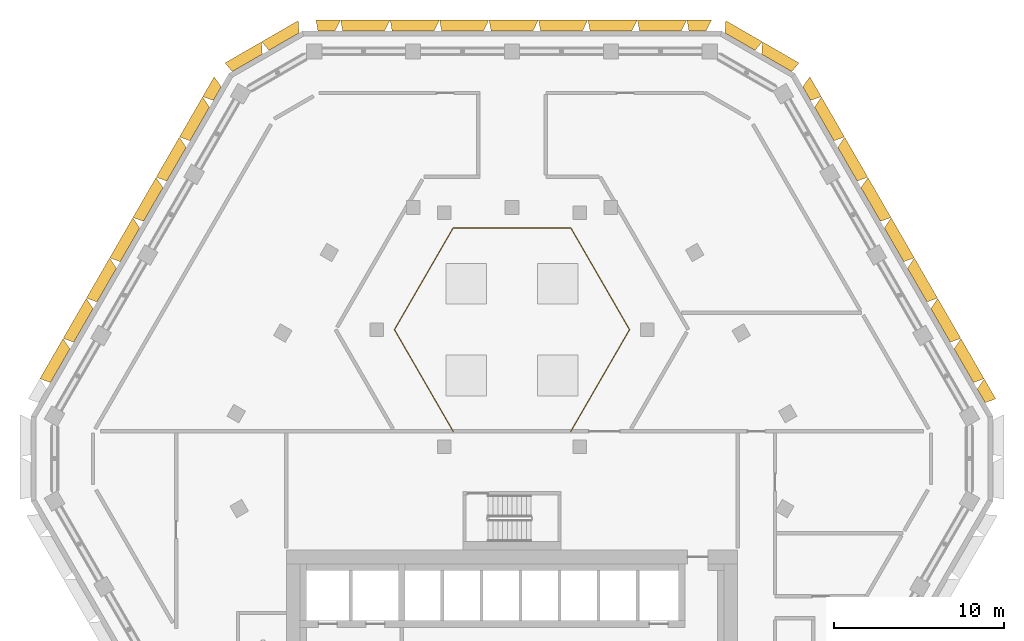
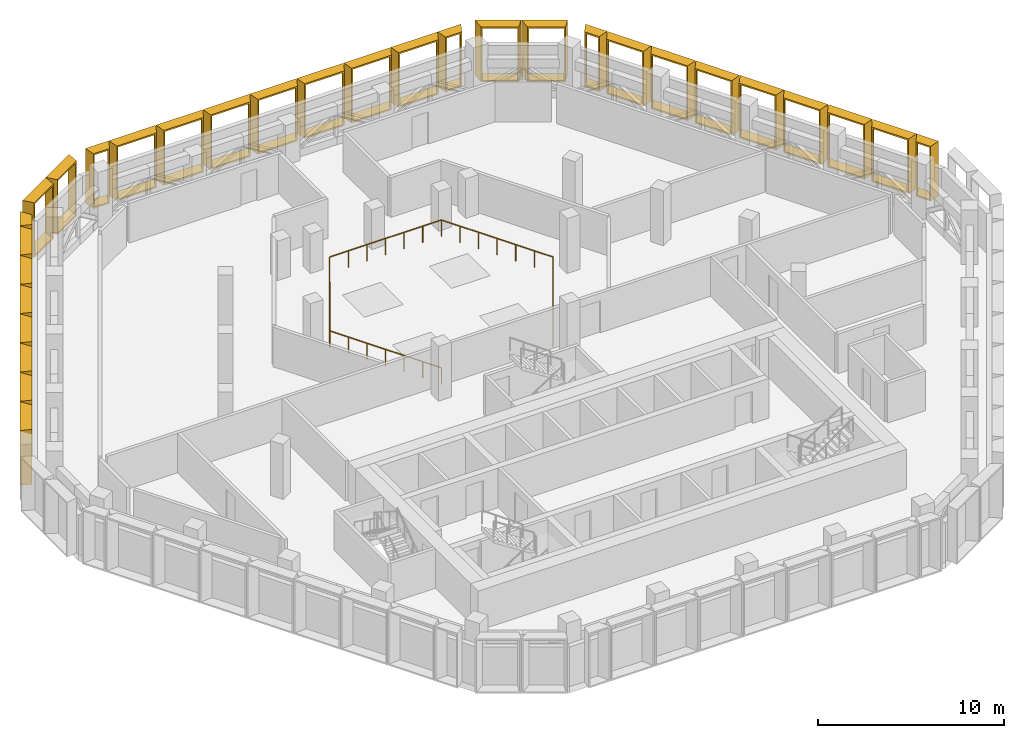
# One storey, part 22 of 22: 30 shading devices, 1 railing.
"""IFC4 building model written with IfcOpenShell, lengths in metres."""

import ifcopenshell
import ifcopenshell.guid

model = None  # the IFC model being written
_history = None  # IfcOwnerHistory: only IFC2X3 demands one
_inside = {}  # id of a spatial element -> (the spatial element, [elements in it])
_under = {}  # id of a project, library or spatial element -> (it, [spatial elements below it])
_declared = {}  # id of a project -> (the project, [libraries it declares])
_typed = {}  # id of a type object -> (the type object, [elements of that type])
_made_of = {}  # id of a material, layer set ... -> (it, [elements and type objects made of it])


def new_model(schema):
    """Start an empty IFC model of exactly this schema.

    Asked for "IFC4X3", IfcOpenShell would pick the latest addendum, in which some entities
    have other attributes; the version numbers below select the first issue.
    IFC2X3 requires an IfcOwnerHistory on every rooted entity: one is made here for all.
    """
    global model, _history
    if schema == "IFC4X3":
        model = ifcopenshell.file(schema_version=(4, 3, 0, 0))
    else:
        model = ifcopenshell.file(schema=schema)
    _inside.clear()
    _under.clear()
    _declared.clear()
    _typed.clear()
    _made_of.clear()
    _history = None
    if model.schema == "IFC2X3":
        org = make("IfcOrganization", Name="unknown")
        user = make(
            "IfcPersonAndOrganization",
            ThePerson=make("IfcPerson", FamilyName="unknown"),
            TheOrganization=org,
        )
        app = make(
            "IfcApplication",
            ApplicationDeveloper=org,
            Version="unknown",
            ApplicationFullName="unknown",
            ApplicationIdentifier="unknown",
        )
        _history = make(
            "IfcOwnerHistory",
            OwningUser=user,
            OwningApplication=app,
            ChangeAction="ADDED",
            CreationDate=0,
        )
    return model


def make(cls, **values):
    """One entity of the class cls with the attributes given. An attribute that is None is left unset."""
    return model.create_entity(
        cls, **{name: value for name, value in values.items() if value is not None}
    )


def entity(cls, *values):
    """Any entity or typed value of the class cls, its attributes in the order of the schema. None: left unset."""
    e = model.create_entity(cls)
    for i, value in enumerate(values):
        if value is not None:
            e[i] = value
    return e


def rooted(cls, **values):
    """An entity with a GlobalId (a new one), such as an element, a storey or a relation."""
    return make(cls, GlobalId=ifcopenshell.guid.new(), OwnerHistory=_history, **values)


def si_unit(unit_type, name, prefix=None):
    """IfcSIUnit, for example si_unit("LENGTHUNIT", "METRE", prefix="MILLI")."""
    return make("IfcSIUnit", UnitType=unit_type, Prefix=prefix, Name=name)


def assignment(units):
    """IfcUnitAssignment: the units of a project."""
    return None if units is None else make("IfcUnitAssignment", Units=units)


def point(xyz):
    """IfcCartesianPoint."""
    return None if xyz is None else make("IfcCartesianPoint", Coordinates=xyz)


def direction(xyz):
    """IfcDirection."""
    return None if xyz is None else make("IfcDirection", DirectionRatios=xyz)


def frame(location, z_axis=None, x_axis=None):
    """IfcAxis2Placement3D, a coordinate frame: its origin and axes. An axis left out is left unset."""
    return make(
        "IfcAxis2Placement3D",
        Location=point(location),
        Axis=direction(z_axis),
        RefDirection=direction(x_axis),
    )


def frame_2d(location, x_axis=None):
    """IfcAxis2Placement2D, a coordinate frame in the plane: its origin and x axis."""
    return make(
        "IfcAxis2Placement2D", Location=point(location), RefDirection=direction(x_axis)
    )


def origin():
    """The frame at (0, 0, 0) with its axes left unset."""
    return frame((0.0, 0.0, 0.0))


def origin_2d():
    """The frame at (0, 0) in the plane with its x axis left unset."""
    return frame_2d((0.0, 0.0))


def place(relative_to, where):
    """IfcLocalPlacement: puts the frame where relative to a parent placement (None: the world)."""
    return make(
        "IfcLocalPlacement", PlacementRelTo=relative_to, RelativePlacement=where
    )


def context(
    kind, dimensions, precision=None, world=None, true_north=None, identifier=None
):
    """IfcGeometricRepresentationContext, for example the 3D "Model" context."""
    return make(
        "IfcGeometricRepresentationContext",
        ContextIdentifier=identifier,
        ContextType=kind,
        CoordinateSpaceDimension=dimensions,
        Precision=precision,
        WorldCoordinateSystem=world,
        TrueNorth=true_north,
    )


def subcontext(parent, identifier, kind, view, scale=None):
    """IfcGeometricRepresentationSubContext, for example "Body" below "Model"."""
    return make(
        "IfcGeometricRepresentationSubContext",
        ContextIdentifier=identifier,
        ContextType=kind,
        ParentContext=parent,
        TargetScale=scale,
        TargetView=view,
    )


def project(units=None, contexts=None):
    """IfcProject with its units and contexts."""
    return rooted(
        "IfcProject",
        Name="project",
        RepresentationContexts=contexts,
        UnitsInContext=assignment(units),
    )


def spatial(cls, under=None, at=None, **own):
    """A site, building, storey or space (cls), placed at a placement, below another one or the project."""
    s = rooted(cls, ObjectPlacement=at, **own)
    if under is not None:
        _under.setdefault(under.id(), (under, []))[1].append(s)
    return s


def profile(cls, at=None, kind="AREA", **sizes):
    """A parametric profile (cls). Its sizes go by their IFC names, for example OverallWidth=200.0."""
    return make(cls, ProfileType=kind, Position=at, **sizes)


def rectangle(**sizes):
    """IfcRectangleProfileDef."""
    return profile("IfcRectangleProfileDef", **sizes)


def extrude(swept, where, along, depth):
    """IfcExtrudedAreaSolid: the profile swept, set in the frame where, extruded along a direction by depth."""
    return make(
        "IfcExtrudedAreaSolid",
        SweptArea=swept,
        Position=where,
        ExtrudedDirection=direction(along),
        Depth=depth,
    )


def shape(context_of_items, identifier, shape_type, items):
    """IfcShapeRepresentation: the items that make up one representation, for example the "Body"."""
    return make(
        "IfcShapeRepresentation",
        ContextOfItems=context_of_items,
        RepresentationIdentifier=identifier,
        RepresentationType=shape_type,
        Items=items,
    )


def source(mapping_origin, context_of_items, identifier, shape_type, items):
    """IfcRepresentationMap: a shape defined once, which mapped items show again and again."""
    return make(
        "IfcRepresentationMap",
        MappingOrigin=mapping_origin,
        MappedRepresentation=shape(context_of_items, identifier, shape_type, items),
    )


def transform(
    local_origin,
    x_axis=None,
    y_axis=None,
    z_axis=None,
    scale=None,
    scale2=None,
    scale3=None,
    uniform=True,
):
    """IfcCartesianTransformationOperator3D, or its non-uniform kind. x_axis, y_axis, z_axis: its Axis1, 2, 3."""
    if uniform:
        return make(
            "IfcCartesianTransformationOperator3D",
            Axis1=direction(x_axis),
            Axis2=direction(y_axis),
            LocalOrigin=point(local_origin),
            Scale=scale,
            Axis3=direction(z_axis),
        )
    return make(
        "IfcCartesianTransformationOperator3DnonUniform",
        Axis1=direction(x_axis),
        Axis2=direction(y_axis),
        LocalOrigin=point(local_origin),
        Scale=scale,
        Axis3=direction(z_axis),
        Scale2=scale2,
        Scale3=scale3,
    )


def mapped(mapping_source, mapping_target):
    """IfcMappedItem: shows the shape of a source again, moved by a transform."""
    return make(
        "IfcMappedItem", MappingSource=mapping_source, MappingTarget=mapping_target
    )


def material(Name=None, Category=None):
    """IfcMaterial."""
    return make("IfcMaterial", Name=Name, Category=Category)


def made_of(thing, what):
    """Note that an element or type object is made of a material, layer set ...; save() writes the relation."""
    if what is not None:
        _made_of.setdefault(what.id(), (what, []))[1].append(thing)
    return thing


def type_object(cls, material=None, **own):
    """A type object (cls), such as IfcWallType, which elements share."""
    return made_of(rooted(cls, **own), material)


def type_shapes(of_type, sources):
    """Give a type object the sources (RepresentationMaps) that its elements show as mapped items."""
    of_type.RepresentationMaps = sources


def element(
    cls,
    number,
    at=None,
    inside=None,
    cuts=None,
    type_object=None,
    material=None,
    context=None,
    identifier="Body",
    shape_type=None,
    held_by="IfcProductDefinitionShape",
    body=None,
    shapes=None,
    **own,
):
    """One element of the class cls, such as IfcWall. Its Tag is "e" and its number.

    at: its placement. inside: the storey or other place that contains it. cuts: it is an
    opening in that element (IfcRelVoidsElement). A single representation is given by context,
    identifier, shape_type and body (its items); several are given by shapes. held_by: the class
    of the entity that holds the representations. save() writes the other relations.
    """
    e = rooted(cls, Tag="e%d" % number, ObjectPlacement=at, **own)
    if body is not None:
        shapes = [shape(context, identifier, shape_type, body)]
    if shapes is not None:
        e.Representation = make(held_by, Representations=shapes)
    if inside is not None:
        _inside.setdefault(inside.id(), (inside, []))[1].append(e)
    if cuts is not None:
        rooted(
            "IfcRelVoidsElement", RelatingBuildingElement=cuts, RelatedOpeningElement=e
        )
    if type_object is not None:
        _typed.setdefault(type_object.id(), (type_object, []))[1].append(e)
    return made_of(e, material)


def aggregate(whole, parts):
    """IfcRelAggregates: a whole, such as a stair, and the parts it consists of."""
    return rooted("IfcRelAggregates", RelatingObject=whole, RelatedObjects=parts)


def save(model, path):
    """Write the relations noted so far, then the file.

    IfcRelAggregates (storeys below a building ...), IfcRelContainedInSpatialStructure (elements
    in a storey), IfcRelDefinesByType, IfcRelAssociatesMaterial and IfcRelDeclares: one each for
    every whole, place, type object, material and project.
    """
    for whole, parts in _under.values():
        aggregate(whole, parts)
    for where, things in _inside.values():
        rooted(
            "IfcRelContainedInSpatialStructure",
            RelatedElements=things,
            RelatingStructure=where,
        )
    for kind, things in _typed.values():
        rooted("IfcRelDefinesByType", RelatedObjects=things, RelatingType=kind)
    for what, things in _made_of.values():
        rooted("IfcRelAssociatesMaterial", RelatedObjects=things, RelatingMaterial=what)
    for by, libraries in _declared.values():
        rooted("IfcRelDeclares", RelatingContext=by, RelatedDefinitions=libraries)
    model.write(path)


model = new_model("IFC4")

# Units and contexts
model_context = context("Model", 3, precision=1e-05, world=origin(), true_north=direction((0.0, 1.0)))
body_context = subcontext(model_context, "Body", "Model", "MODEL_VIEW")
ifc_project = project(units=[si_unit("LENGTHUNIT", "METRE"), si_unit("AREAUNIT", "SQUARE_METRE"), si_unit("VOLUMEUNIT", "CUBIC_METRE"), si_unit("PLANEANGLEUNIT", "RADIAN"), si_unit("MASSUNIT", "GRAM", prefix="KILO")], contexts=[model_context])

# Site, building, storey
site_placement = place(None, origin())
site = spatial("IfcSite", under=ifc_project, at=site_placement, CompositionType="ELEMENT")
building_placement = place(site_placement, origin())
building = spatial("IfcBuilding", under=site, at=building_placement, Name="Beryl Residences", CompositionType="ELEMENT")
storey_placement = place(building_placement, frame((0.0, 0.0, 153.60009765625)))
storey = spatial("IfcBuildingStorey", under=building, at=storey_placement, Name="L47", CompositionType="ELEMENT", Elevation=153.60009765625)

# Railing
ifc_material_1 = material(Name="Stainless steel balustrade with glass infill", Category="steel")
railing_type = type_object("IfcRailingType", Name="EG1 edge guard 1100 mm", PredefinedType="GUARDRAIL", material=ifc_material_1)
railing_placement = place(storey_placement, frame((3.464111328125, 2.0, 0.0)))
element("IfcRailing", 1, at=railing_placement, inside=storey, type_object=railing_type, Name="L47 guard 1", PredefinedType="GUARDRAIL", context=body_context, shape_type="SweptSolid", body=[
    extrude(rectangle(XDim=0.048095703125, YDim=0.048095703125, at=origin_2d()), frame((0.0, 0.0, 1.076171875), z_axis=(0.49997462182, 0.866040055388, 0.0), x_axis=(-0.866040055388, 0.49997462182, 0.0)), (0.0, 0.0, 1.0), 6.927978515625),
    extrude(rectangle(XDim=0.048095703125, YDim=0.048095703125, at=origin_2d()), frame((3.4638671875, 6.0, 1.076171875), z_axis=(-0.49997462182, 0.866040055388, 0.0), x_axis=(-0.866040055388, -0.49997462182, 0.0)), (0.0, 0.0, 1.0), 6.927978515625),
    extrude(rectangle(XDim=0.048095703125, YDim=0.048095703125, at=origin_2d()), frame((0.0, 12.0, 1.076171875), z_axis=(-1.0, 0.0, 0.0), x_axis=(0.0, -1.0, 0.0)), (0.0, 0.0, 1.0), 6.92822265625),
    extrude(rectangle(XDim=0.048095703125, YDim=0.048095703125, at=origin_2d()), frame((-6.92822265625, 12.0, 1.076171875), z_axis=(-0.49997462182, -0.866040055388, 0.0), x_axis=(0.866040055388, -0.49997462182, 0.0)), (0.0, 0.0, 1.0), 6.927978515625),
    extrude(rectangle(XDim=0.048095703125, YDim=0.048095703125, at=origin_2d()), frame((-10.39208984375, 6.0, 1.076171875), z_axis=(0.49997462182, -0.866040055388, 0.0), x_axis=(0.866040055388, 0.49997462182, 0.0)), (0.0, 0.0, 1.0), 6.927978515625),
    extrude(rectangle(XDim=0.0419921875, YDim=0.0419921875, at=origin_2d()), origin(), (0.0, 0.0, 1.0), 1.052001953125),
    extrude(rectangle(XDim=0.0419921875, YDim=0.0419921875, at=origin_2d()), frame((0.577392578125, 1.0, 0.0)), (0.0, 0.0, 1.0), 1.052001953125),
    extrude(rectangle(XDim=0.0419921875, YDim=0.0419921875, at=origin_2d()), frame((1.154541015625, 2.0, 0.0)), (0.0, 0.0, 1.0), 1.052001953125),
    extrude(rectangle(XDim=0.0419921875, YDim=0.0419921875, at=origin_2d()), frame((1.73193359375, 3.0, 0.0)), (0.0, 0.0, 1.0), 1.052001953125),
    extrude(rectangle(XDim=0.0419921875, YDim=0.0419921875, at=origin_2d()), frame((2.309326171875, 4.0, 0.0)), (0.0, 0.0, 1.0), 1.052001953125),
    extrude(rectangle(XDim=0.0419921875, YDim=0.0419921875, at=origin_2d()), frame((2.886474609375, 5.0, 0.0)), (0.0, 0.0, 1.0), 1.052001953125),
    extrude(rectangle(XDim=0.0419921875, YDim=0.0419921875, at=origin_2d()), frame((3.4638671875, 6.0, 0.0)), (0.0, 0.0, 1.0), 1.052001953125),
    extrude(rectangle(XDim=0.0419921875, YDim=0.0419921875, at=origin_2d()), frame((2.886474609375, 7.0, 0.0)), (0.0, 0.0, 1.0), 1.052001953125),
    extrude(rectangle(XDim=0.0419921875, YDim=0.0419921875, at=origin_2d()), frame((2.309326171875, 8.0, 0.0)), (0.0, 0.0, 1.0), 1.052001953125),
    extrude(rectangle(XDim=0.0419921875, YDim=0.0419921875, at=origin_2d()), frame((1.73193359375, 9.0, 0.0)), (0.0, 0.0, 1.0), 1.052001953125),
    extrude(rectangle(XDim=0.0419921875, YDim=0.0419921875, at=origin_2d()), frame((1.154541015625, 10.0, 0.0)), (0.0, 0.0, 1.0), 1.052001953125),
    extrude(rectangle(XDim=0.0419921875, YDim=0.0419921875, at=origin_2d()), frame((0.577392578125, 11.0, 0.0)), (0.0, 0.0, 1.0), 1.052001953125),
    extrude(rectangle(XDim=0.0419921875, YDim=0.0419921875, at=origin_2d()), frame((0.0, 12.0, 0.0)), (0.0, 0.0, 1.0), 1.052001953125),
    extrude(rectangle(XDim=0.0419921875, YDim=0.0419921875, at=origin_2d()), frame((-1.15478515625, 12.0, 0.0)), (0.0, 0.0, 1.0), 1.052001953125),
    extrude(rectangle(XDim=0.0419921875, YDim=0.0419921875, at=origin_2d()), frame((-2.309326171875, 12.0, 0.0)), (0.0, 0.0, 1.0), 1.052001953125),
    extrude(rectangle(XDim=0.0419921875, YDim=0.0419921875, at=origin_2d()), frame((-3.464111328125, 12.0, 0.0)), (0.0, 0.0, 1.0), 1.052001953125),
    extrude(rectangle(XDim=0.0419921875, YDim=0.0419921875, at=origin_2d()), frame((-4.618896484375, 12.0, 0.0)), (0.0, 0.0, 1.0), 1.052001953125),
    extrude(rectangle(XDim=0.0419921875, YDim=0.0419921875, at=origin_2d()), frame((-5.7734375, 12.0, 0.0)), (0.0, 0.0, 1.0), 1.052001953125),
    extrude(rectangle(XDim=0.0419921875, YDim=0.0419921875, at=origin_2d()), frame((-6.92822265625, 12.0, 0.0)), (0.0, 0.0, 1.0), 1.052001953125),
    extrude(rectangle(XDim=0.0419921875, YDim=0.0419921875, at=origin_2d()), frame((-7.505615234375, 11.0, 0.0)), (0.0, 0.0, 1.0), 1.052001953125),
    extrude(rectangle(XDim=0.0419921875, YDim=0.0419921875, at=origin_2d()), frame((-8.082763671875, 10.0, 0.0)), (0.0, 0.0, 1.0), 1.052001953125),
    extrude(rectangle(XDim=0.0419921875, YDim=0.0419921875, at=origin_2d()), frame((-8.66015625, 9.0, 0.0)), (0.0, 0.0, 1.0), 1.052001953125),
    extrude(rectangle(XDim=0.0419921875, YDim=0.0419921875, at=origin_2d()), frame((-9.237548828125, 8.0, 0.0)), (0.0, 0.0, 1.0), 1.052001953125),
    extrude(rectangle(XDim=0.0419921875, YDim=0.0419921875, at=origin_2d()), frame((-9.814697265625, 7.0, 0.0)), (0.0, 0.0, 1.0), 1.052001953125),
    extrude(rectangle(XDim=0.0419921875, YDim=0.0419921875, at=origin_2d()), frame((-10.39208984375, 6.0, 0.0)), (0.0, 0.0, 1.0), 1.052001953125),
    extrude(rectangle(XDim=0.0419921875, YDim=0.0419921875, at=origin_2d()), frame((-9.814697265625, 5.0, 0.0)), (0.0, 0.0, 1.0), 1.052001953125),
    extrude(rectangle(XDim=0.0419921875, YDim=0.0419921875, at=origin_2d()), frame((-9.237548828125, 4.0, 0.0)), (0.0, 0.0, 1.0), 1.052001953125),
    extrude(rectangle(XDim=0.0419921875, YDim=0.0419921875, at=origin_2d()), frame((-8.66015625, 3.0, 0.0)), (0.0, 0.0, 1.0), 1.052001953125),
    extrude(rectangle(XDim=0.0419921875, YDim=0.0419921875, at=origin_2d()), frame((-8.082763671875, 2.0, 0.0)), (0.0, 0.0, 1.0), 1.052001953125),
    extrude(rectangle(XDim=0.0419921875, YDim=0.0419921875, at=origin_2d()), frame((-7.505615234375, 1.0, 0.0)), (0.0, 0.0, 1.0), 1.052001953125),
    extrude(rectangle(XDim=0.0419921875, YDim=0.0419921875, at=origin_2d()), frame((-6.92822265625, 0.0, 0.0)), (0.0, 0.0, 1.0), 1.052001953125),
])

# Shading devices
ifc_material_2 = material(Name="Aluminium pale anodised", Category="aluminium")
shading_device_type_1 = type_object("IfcShadingDeviceType", Name="FR137-65B-H36 OUTER SKIN frame 650 mm deep, splay 26/10 deg, 1370 x 3600 mm cell", PredefinedType="USERDEFINED", material=ifc_material_2)
cartesian_point_1 = entity("IfcCartesianPoint", [-0.458984375, 0.0])
cartesian_point_2 = entity("IfcCartesianPoint", [-0.369873046875, 0.10009765625])
cartesian_point_3 = entity("IfcCartesianPoint", [-0.776123046875, 0.0])
cartesian_point_4 = entity("IfcCartesianPoint", [-0.68701171875, 0.10009765625])
shared_shape_1 = source(origin(), body_context, "Body", "SweptSolid", [
    entity("IfcExtrudedAreaSolidTapered", entity("IfcArbitraryProfileDefWithVoids", "AREA", None, entity("IfcPolyline", [cartesian_point_1, entity("IfcCartesianPoint", [0.458984375, 0.0]), entity("IfcCartesianPoint", [0.458984375, 3.60009765625]), entity("IfcCartesianPoint", [-0.458984375, 3.60009765625]), cartesian_point_1]), [entity("IfcPolyline", [cartesian_point_2, entity("IfcCartesianPoint", [0.377685546875, 0.10009765625]), entity("IfcCartesianPoint", [0.377685546875, 3.5]), entity("IfcCartesianPoint", [-0.369873046875, 3.5]), cartesian_point_2])]), entity("IfcAxis2Placement3D", entity("IfcCartesianPoint", [0.0, 0.0, 0.0]), entity("IfcDirection", [0.0, 1.0, 0.0]), entity("IfcDirection", [-1.0, 0.0, 0.0])), entity("IfcDirection", [0.0, 0.0, 1.0]), 0.64990234375, entity("IfcArbitraryProfileDefWithVoids", "AREA", None, entity("IfcPolyline", [cartesian_point_3, entity("IfcCartesianPoint", [0.57373046875, 0.0]), entity("IfcCartesianPoint", [0.57373046875, 3.60009765625]), entity("IfcCartesianPoint", [-0.776123046875, 3.60009765625]), cartesian_point_3]), [entity("IfcPolyline", [cartesian_point_4, entity("IfcCartesianPoint", [0.492431640625, 0.10009765625]), entity("IfcCartesianPoint", [0.492431640625, 3.5]), entity("IfcCartesianPoint", [-0.68701171875, 3.5]), cartesian_point_4])])),
])
type_shapes(shading_device_type_1, [shared_shape_1])
shading_device_placement = place(storey_placement, frame((-17.375, 21.906982421875, 0.0), z_axis=(0.0, 0.0, 1.0), x_axis=(0.5, 0.866025403784, 0.0)))
element("IfcShadingDevice", 2, at=shading_device_placement, inside=storey, type_object=shading_device_type_1, Name="FR137-65B-H36 frame L47 NW 1", ObjectType="OUTER SKIN", PredefinedType="USERDEFINED", context=body_context, shape_type="MappedRepresentation", body=[
    mapped(shared_shape_1, transform((0.0, 0.0, 0.0))),
])
ifc_material_3 = material(Name="Aluminium pale anodised", Category="aluminium")
shading_device_type_2 = type_object("IfcShadingDeviceType", Name="FR137-65C-H36 OUTER SKIN frame 650 mm deep, splay 10/26 deg, 1370 x 3600 mm cell", PredefinedType="USERDEFINED", material=ifc_material_3)
cartesian_point_5 = entity("IfcCartesianPoint", [-0.458984375, 0.0])
cartesian_point_6 = entity("IfcCartesianPoint", [-0.377685546875, 0.10009765625])
cartesian_point_7 = entity("IfcCartesianPoint", [-0.57373046875, 0.0])
cartesian_point_8 = entity("IfcCartesianPoint", [-0.492431640625, 0.10009765625])
shared_shape_2 = source(origin(), body_context, "Body", "SweptSolid", [
    entity("IfcExtrudedAreaSolidTapered", entity("IfcArbitraryProfileDefWithVoids", "AREA", None, entity("IfcPolyline", [cartesian_point_5, entity("IfcCartesianPoint", [0.458984375, 0.0]), entity("IfcCartesianPoint", [0.458984375, 3.60009765625]), entity("IfcCartesianPoint", [-0.458984375, 3.60009765625]), cartesian_point_5]), [entity("IfcPolyline", [cartesian_point_6, entity("IfcCartesianPoint", [0.369873046875, 0.10009765625]), entity("IfcCartesianPoint", [0.369873046875, 3.5]), entity("IfcCartesianPoint", [-0.377685546875, 3.5]), cartesian_point_6])]), entity("IfcAxis2Placement3D", entity("IfcCartesianPoint", [0.0, 0.0, 0.0]), entity("IfcDirection", [0.0, 1.0, 0.0]), entity("IfcDirection", [-1.0, 0.0, 0.0])), entity("IfcDirection", [0.0, 0.0, 1.0]), 0.64990234375, entity("IfcArbitraryProfileDefWithVoids", "AREA", None, entity("IfcPolyline", [cartesian_point_7, entity("IfcCartesianPoint", [0.776123046875, 0.0]), entity("IfcCartesianPoint", [0.776123046875, 3.60009765625]), entity("IfcCartesianPoint", [-0.57373046875, 3.60009765625]), cartesian_point_7]), [entity("IfcPolyline", [cartesian_point_8, entity("IfcCartesianPoint", [0.68701171875, 0.10009765625]), entity("IfcCartesianPoint", [0.68701171875, 3.5]), entity("IfcCartesianPoint", [-0.492431640625, 3.5]), cartesian_point_8])])),
])
type_shapes(shading_device_type_2, [shared_shape_2])
for number, where, z_axis, x_axis, name in (
    (3, (27.658935546875, 4.093017578125, 0.0), (0.0, 0.0, 1.0), (0.5, -0.866025403784, 0.0), "FR137-65C-H36 frame L47 NE 1"),
    (4, (17.375, 21.906982421875, 0.0), (0.0, 0.0, 1.0), (0.5, -0.866025403784, 0.0), "FR137-65C-H36 frame L47 NE 9"),
):
    element("IfcShadingDevice", number, at=place(storey_placement, frame(where, z_axis=z_axis, x_axis=x_axis)), inside=storey, type_object=shading_device_type_2, Name=name, ObjectType="OUTER SKIN", PredefinedType="USERDEFINED", context=body_context, shape_type="MappedRepresentation", body=[
        mapped(shared_shape_2, transform((0.0, 0.0, 0.0))),
    ])
ifc_material_4 = material(Name="Aluminium pale anodised", Category="aluminium")
shading_device_type_3 = type_object("IfcShadingDeviceType", Name="FR146-65B-H36 OUTER SKIN frame 650 mm deep, splay 26/10 deg, 1460 x 3600 mm cell", PredefinedType="USERDEFINED", material=ifc_material_4)
cartesian_point_9 = entity("IfcCartesianPoint", [-0.50390625, 0.0])
cartesian_point_10 = entity("IfcCartesianPoint", [-0.4150390625, 0.10009765625])
cartesian_point_11 = entity("IfcCartesianPoint", [-0.821044921875, 0.0])
cartesian_point_12 = entity("IfcCartesianPoint", [-0.73193359375, 0.10009765625])
shared_shape_3 = source(origin(), body_context, "Body", "SweptSolid", [
    entity("IfcExtrudedAreaSolidTapered", entity("IfcArbitraryProfileDefWithVoids", "AREA", None, entity("IfcPolyline", [cartesian_point_9, entity("IfcCartesianPoint", [0.50390625, 0.0]), entity("IfcCartesianPoint", [0.50390625, 3.60009765625]), entity("IfcCartesianPoint", [-0.50390625, 3.60009765625]), cartesian_point_9]), [entity("IfcPolyline", [cartesian_point_10, entity("IfcCartesianPoint", [0.4228515625, 0.10009765625]), entity("IfcCartesianPoint", [0.4228515625, 3.5]), entity("IfcCartesianPoint", [-0.4150390625, 3.5]), cartesian_point_10])]), entity("IfcAxis2Placement3D", entity("IfcCartesianPoint", [0.0, 0.0, 0.0]), entity("IfcDirection", [0.0, 1.0, 0.0]), entity("IfcDirection", [-1.0, 0.0, 0.0])), entity("IfcDirection", [0.0, 0.0, 1.0]), 0.64990234375, entity("IfcArbitraryProfileDefWithVoids", "AREA", None, entity("IfcPolyline", [cartesian_point_11, entity("IfcCartesianPoint", [0.61865234375, 0.0]), entity("IfcCartesianPoint", [0.61865234375, 3.60009765625]), entity("IfcCartesianPoint", [-0.821044921875, 3.60009765625]), cartesian_point_11]), [entity("IfcPolyline", [cartesian_point_12, entity("IfcCartesianPoint", [0.537353515625, 0.10009765625]), entity("IfcCartesianPoint", [0.537353515625, 3.5]), entity("IfcCartesianPoint", [-0.73193359375, 3.5]), cartesian_point_12])])),
])
type_shapes(shading_device_type_3, [shared_shape_3])
for number, where, z_axis, x_axis, name in (
    (5, (10.93310546875, 25.60009765625, 0.0), (0.0, 0.0, 1.0), (1.0, 0.0, 0.0), "FR146-65B-H36 frame L47 N 1"),
    (6, (-10.93310546875, 25.60009765625, 0.0), (0.0, 0.0, 1.0), (1.0, 0.0, 0.0), "FR146-65B-H36 frame L47 N 9"),
):
    element("IfcShadingDevice", number, at=place(storey_placement, frame(where, z_axis=z_axis, x_axis=x_axis)), inside=storey, type_object=shading_device_type_3, Name=name, ObjectType="OUTER SKIN", PredefinedType="USERDEFINED", context=body_context, shape_type="MappedRepresentation", body=[
        mapped(shared_shape_3, transform((0.0, 0.0, 0.0))),
    ])
ifc_material_5 = material(Name="Aluminium pale anodised", Category="aluminium")
shading_device_type_4 = type_object("IfcShadingDeviceType", Name="FR250-65B-H36 OUTER SKIN frame 650 mm deep, splay 26/10 deg, 2500 x 3600 mm cell", PredefinedType="USERDEFINED", material=ifc_material_5)
cartesian_point_13 = entity("IfcCartesianPoint", [-1.02392578125, 0.0])
cartesian_point_14 = entity("IfcCartesianPoint", [-0.93505859375, 0.10009765625])
cartesian_point_15 = entity("IfcCartesianPoint", [-1.341064453125, 0.0])
cartesian_point_16 = entity("IfcCartesianPoint", [-1.251953125, 0.10009765625])
shared_shape_4 = source(origin(), body_context, "Body", "SweptSolid", [
    entity("IfcExtrudedAreaSolidTapered", entity("IfcArbitraryProfileDefWithVoids", "AREA", None, entity("IfcPolyline", [cartesian_point_13, entity("IfcCartesianPoint", [1.02392578125, 0.0]), entity("IfcCartesianPoint", [1.02392578125, 3.60009765625]), entity("IfcCartesianPoint", [-1.02392578125, 3.60009765625]), cartesian_point_13]), [entity("IfcPolyline", [cartesian_point_14, entity("IfcCartesianPoint", [0.94287109375, 0.10009765625]), entity("IfcCartesianPoint", [0.94287109375, 3.5]), entity("IfcCartesianPoint", [-0.93505859375, 3.5]), cartesian_point_14])]), entity("IfcAxis2Placement3D", entity("IfcCartesianPoint", [0.0, 0.0, 0.0]), entity("IfcDirection", [0.0, 1.0, 0.0]), entity("IfcDirection", [-1.0, 0.0, 0.0])), entity("IfcDirection", [0.0, 0.0, 1.0]), 0.64990234375, entity("IfcArbitraryProfileDefWithVoids", "AREA", None, entity("IfcPolyline", [cartesian_point_15, entity("IfcCartesianPoint", [1.138671875, 0.0]), entity("IfcCartesianPoint", [1.138671875, 3.60009765625]), entity("IfcCartesianPoint", [-1.341064453125, 3.60009765625]), cartesian_point_15]), [entity("IfcPolyline", [cartesian_point_16, entity("IfcCartesianPoint", [1.057373046875, 0.10009765625]), entity("IfcCartesianPoint", [1.057373046875, 3.5]), entity("IfcCartesianPoint", [-1.251953125, 3.5]), cartesian_point_16])])),
])
type_shapes(shading_device_type_4, [shared_shape_4])
for number, where, z_axis, x_axis, name in (
    (7, (-13.43798828125, 24.97509765625, 0.0), (0.0, 0.0, 1.0), (0.866025403784, 0.5, 0.0), "FR250-65B-H36 frame L47 N-NW 1"),
    (8, (-15.60205078125, 23.72509765625, 0.0), (0.0, 0.0, 1.0), (0.866025403784, 0.5, 0.0), "FR250-65B-H36 frame L47 N-NW 2"),
):
    element("IfcShadingDevice", number, at=place(storey_placement, frame(where, z_axis=z_axis, x_axis=x_axis)), inside=storey, type_object=shading_device_type_4, Name=name, ObjectType="OUTER SKIN", PredefinedType="USERDEFINED", context=body_context, shape_type="MappedRepresentation", body=[
        mapped(shared_shape_4, transform((0.0, 0.0, 0.0))),
    ])
ifc_material_6 = material(Name="Aluminium pale anodised", Category="aluminium")
shading_device_type_5 = type_object("IfcShadingDeviceType", Name="FR250-65C-H36 OUTER SKIN frame 650 mm deep, splay 10/26 deg, 2500 x 3600 mm cell", PredefinedType="USERDEFINED", material=ifc_material_6)
cartesian_point_17 = entity("IfcCartesianPoint", [-1.02392578125, 0.0])
cartesian_point_18 = entity("IfcCartesianPoint", [-0.94287109375, 0.10009765625])
cartesian_point_19 = entity("IfcCartesianPoint", [-1.138671875, 0.0])
cartesian_point_20 = entity("IfcCartesianPoint", [-1.057373046875, 0.10009765625])
shared_shape_5 = source(origin(), body_context, "Body", "SweptSolid", [
    entity("IfcExtrudedAreaSolidTapered", entity("IfcArbitraryProfileDefWithVoids", "AREA", None, entity("IfcPolyline", [cartesian_point_17, entity("IfcCartesianPoint", [1.02392578125, 0.0]), entity("IfcCartesianPoint", [1.02392578125, 3.60009765625]), entity("IfcCartesianPoint", [-1.02392578125, 3.60009765625]), cartesian_point_17]), [entity("IfcPolyline", [cartesian_point_18, entity("IfcCartesianPoint", [0.93505859375, 0.10009765625]), entity("IfcCartesianPoint", [0.93505859375, 3.5]), entity("IfcCartesianPoint", [-0.94287109375, 3.5]), cartesian_point_18])]), entity("IfcAxis2Placement3D", entity("IfcCartesianPoint", [0.0, 0.0, 0.0]), entity("IfcDirection", [0.0, 1.0, 0.0]), entity("IfcDirection", [-1.0, 0.0, 0.0])), entity("IfcDirection", [0.0, 0.0, 1.0]), 0.64990234375, entity("IfcArbitraryProfileDefWithVoids", "AREA", None, entity("IfcPolyline", [cartesian_point_19, entity("IfcCartesianPoint", [1.341064453125, 0.0]), entity("IfcCartesianPoint", [1.341064453125, 3.60009765625]), entity("IfcCartesianPoint", [-1.138671875, 3.60009765625]), cartesian_point_19]), [entity("IfcPolyline", [cartesian_point_20, entity("IfcCartesianPoint", [1.251953125, 0.10009765625]), entity("IfcCartesianPoint", [1.251953125, 3.5]), entity("IfcCartesianPoint", [-1.057373046875, 3.5]), cartesian_point_20])])),
])
type_shapes(shading_device_type_5, [shared_shape_5])
for number, where, z_axis, x_axis, name in (
    (9, (15.60205078125, 23.72509765625, 0.0), (0.0, 0.0, 1.0), (0.866025403784, -0.5, 0.0), "FR250-65C-H36 frame L47 NE-N 1"),
    (10, (13.43798828125, 24.97509765625, 0.0), (0.0, 0.0, 1.0), (0.866025403784, -0.5, 0.0), "FR250-65C-H36 frame L47 NE-N 2"),
):
    element("IfcShadingDevice", number, at=place(storey_placement, frame(where, z_axis=z_axis, x_axis=x_axis)), inside=storey, type_object=shading_device_type_5, Name=name, ObjectType="OUTER SKIN", PredefinedType="USERDEFINED", context=body_context, shape_type="MappedRepresentation", body=[
        mapped(shared_shape_5, transform((0.0, 0.0, 0.0))),
    ])
ifc_material_7 = material(Name="Aluminium pale anodised", Category="aluminium")
shading_device_type_6 = type_object("IfcShadingDeviceType", Name="FR274-65B-H36 OUTER SKIN frame 650 mm deep, splay 26/10 deg, 2740 x 3600 mm cell", PredefinedType="USERDEFINED", material=ifc_material_7)
cartesian_point_21 = entity("IfcCartesianPoint", [-1.14404296875, 0.0])
cartesian_point_22 = entity("IfcCartesianPoint", [-1.054931640625, 0.10009765625])
cartesian_point_23 = entity("IfcCartesianPoint", [-1.4609375, 0.0])
cartesian_point_24 = entity("IfcCartesianPoint", [-1.3720703125, 0.10009765625])
shared_shape_6 = source(origin(), body_context, "Body", "SweptSolid", [
    entity("IfcExtrudedAreaSolidTapered", entity("IfcArbitraryProfileDefWithVoids", "AREA", None, entity("IfcPolyline", [cartesian_point_21, entity("IfcCartesianPoint", [1.14404296875, 0.0]), entity("IfcCartesianPoint", [1.14404296875, 3.60009765625]), entity("IfcCartesianPoint", [-1.14404296875, 3.60009765625]), cartesian_point_21]), [entity("IfcPolyline", [cartesian_point_22, entity("IfcCartesianPoint", [1.062744140625, 0.10009765625]), entity("IfcCartesianPoint", [1.062744140625, 3.5]), entity("IfcCartesianPoint", [-1.054931640625, 3.5]), cartesian_point_22])]), entity("IfcAxis2Placement3D", entity("IfcCartesianPoint", [0.0, 0.0, 0.0]), entity("IfcDirection", [0.0, 1.0, 0.0]), entity("IfcDirection", [-1.0, 0.0, 0.0])), entity("IfcDirection", [0.0, 0.0, 1.0]), 0.64990234375, entity("IfcArbitraryProfileDefWithVoids", "AREA", None, entity("IfcPolyline", [cartesian_point_23, entity("IfcCartesianPoint", [1.258544921875, 0.0]), entity("IfcCartesianPoint", [1.258544921875, 3.60009765625]), entity("IfcCartesianPoint", [-1.4609375, 3.60009765625]), cartesian_point_23]), [entity("IfcPolyline", [cartesian_point_24, entity("IfcCartesianPoint", [1.177490234375, 0.10009765625]), entity("IfcCartesianPoint", [1.177490234375, 3.5]), entity("IfcCartesianPoint", [-1.3720703125, 3.5]), cartesian_point_24])])),
])
type_shapes(shading_device_type_6, [shared_shape_6])
for number, where, z_axis, x_axis, name in (
    (11, (-18.403076171875, 20.125, 0.0), (0.0, 0.0, 1.0), (0.5, 0.866025403784, 0.0), "FR274-65B-H36 frame L47 NW 2"),
    (12, (-19.77490234375, 17.75, 0.0), (0.0, 0.0, 1.0), (0.5, 0.866025403784, 0.0), "FR274-65B-H36 frame L47 NW 3"),
    (13, (-21.14599609375, 15.375, 0.0), (0.0, 0.0, 1.0), (0.5, 0.866025403784, 0.0), "FR274-65B-H36 frame L47 NW 4"),
    (14, (-22.51708984375, 13.0, 0.0), (0.0, 0.0, 1.0), (0.5, 0.866025403784, 0.0), "FR274-65B-H36 frame L47 NW 5"),
    (15, (-23.887939453125, 10.625, 0.0), (0.0, 0.0, 1.0), (0.5, 0.866025403784, 0.0), "FR274-65B-H36 frame L47 NW 6"),
    (16, (-25.259033203125, 8.25, 0.0), (0.0, 0.0, 1.0), (0.5, 0.866025403784, 0.0), "FR274-65B-H36 frame L47 NW 7"),
    (17, (-26.631103515625, 5.875, 0.0), (0.0, 0.0, 1.0), (0.5, 0.866025403784, 0.0), "FR274-65B-H36 frame L47 NW 8"),
):
    element("IfcShadingDevice", number, at=place(storey_placement, frame(where, z_axis=z_axis, x_axis=x_axis)), inside=storey, type_object=shading_device_type_6, Name=name, ObjectType="OUTER SKIN", PredefinedType="USERDEFINED", context=body_context, shape_type="MappedRepresentation", body=[
        mapped(shared_shape_6, transform((0.0, 0.0, 0.0))),
    ])
ifc_material_8 = material(Name="Aluminium pale anodised", Category="aluminium")
shading_device_type_7 = type_object("IfcShadingDeviceType", Name="FR274-65C-H36 OUTER SKIN frame 650 mm deep, splay 10/26 deg, 2740 x 3600 mm cell", PredefinedType="USERDEFINED", material=ifc_material_8)
cartesian_point_25 = entity("IfcCartesianPoint", [-1.14404296875, 0.0])
cartesian_point_26 = entity("IfcCartesianPoint", [-1.062744140625, 0.10009765625])
cartesian_point_27 = entity("IfcCartesianPoint", [-1.258544921875, 0.0])
cartesian_point_28 = entity("IfcCartesianPoint", [-1.177490234375, 0.10009765625])
shared_shape_7 = source(origin(), body_context, "Body", "SweptSolid", [
    entity("IfcExtrudedAreaSolidTapered", entity("IfcArbitraryProfileDefWithVoids", "AREA", None, entity("IfcPolyline", [cartesian_point_25, entity("IfcCartesianPoint", [1.14404296875, 0.0]), entity("IfcCartesianPoint", [1.14404296875, 3.60009765625]), entity("IfcCartesianPoint", [-1.14404296875, 3.60009765625]), cartesian_point_25]), [entity("IfcPolyline", [cartesian_point_26, entity("IfcCartesianPoint", [1.054931640625, 0.10009765625]), entity("IfcCartesianPoint", [1.054931640625, 3.5]), entity("IfcCartesianPoint", [-1.062744140625, 3.5]), cartesian_point_26])]), entity("IfcAxis2Placement3D", entity("IfcCartesianPoint", [0.0, 0.0, 0.0]), entity("IfcDirection", [0.0, 1.0, 0.0]), entity("IfcDirection", [-1.0, 0.0, 0.0])), entity("IfcDirection", [0.0, 0.0, 1.0]), 0.64990234375, entity("IfcArbitraryProfileDefWithVoids", "AREA", None, entity("IfcPolyline", [cartesian_point_27, entity("IfcCartesianPoint", [1.4609375, 0.0]), entity("IfcCartesianPoint", [1.4609375, 3.60009765625]), entity("IfcCartesianPoint", [-1.258544921875, 3.60009765625]), cartesian_point_27]), [entity("IfcPolyline", [cartesian_point_28, entity("IfcCartesianPoint", [1.3720703125, 0.10009765625]), entity("IfcCartesianPoint", [1.3720703125, 3.5]), entity("IfcCartesianPoint", [-1.177490234375, 3.5]), cartesian_point_28])])),
])
type_shapes(shading_device_type_7, [shared_shape_7])
for number, where, z_axis, x_axis, name in (
    (18, (26.631103515625, 5.875, 0.0), (0.0, 0.0, 1.0), (0.5, -0.866025403784, 0.0), "FR274-65C-H36 frame L47 NE 2"),
    (19, (25.259033203125, 8.25, 0.0), (0.0, 0.0, 1.0), (0.5, -0.866025403784, 0.0), "FR274-65C-H36 frame L47 NE 3"),
    (20, (23.887939453125, 10.625, 0.0), (0.0, 0.0, 1.0), (0.5, -0.866025403784, 0.0), "FR274-65C-H36 frame L47 NE 4"),
    (21, (22.51708984375, 13.0, 0.0), (0.0, 0.0, 1.0), (0.5, -0.866025403784, 0.0), "FR274-65C-H36 frame L47 NE 5"),
    (22, (21.14599609375, 15.375, 0.0), (0.0, 0.0, 1.0), (0.5, -0.866025403784, 0.0), "FR274-65C-H36 frame L47 NE 6"),
    (23, (19.77490234375, 17.75, 0.0), (0.0, 0.0, 1.0), (0.5, -0.866025403784, 0.0), "FR274-65C-H36 frame L47 NE 7"),
    (24, (18.403076171875, 20.125, 0.0), (0.0, 0.0, 1.0), (0.5, -0.866025403784, 0.0), "FR274-65C-H36 frame L47 NE 8"),
):
    element("IfcShadingDevice", number, at=place(storey_placement, frame(where, z_axis=z_axis, x_axis=x_axis)), inside=storey, type_object=shading_device_type_7, Name=name, ObjectType="OUTER SKIN", PredefinedType="USERDEFINED", context=body_context, shape_type="MappedRepresentation", body=[
        mapped(shared_shape_7, transform((0.0, 0.0, 0.0))),
    ])
ifc_material_9 = material(Name="Aluminium pale anodised", Category="aluminium")
shading_device_type_8 = type_object("IfcShadingDeviceType", Name="FR292-65B-H36 OUTER SKIN frame 650 mm deep, splay 26/10 deg, 2920 x 3600 mm cell", PredefinedType="USERDEFINED", material=ifc_material_9)
cartesian_point_29 = entity("IfcCartesianPoint", [-1.23388671875, 0.0])
cartesian_point_30 = entity("IfcCartesianPoint", [-1.14501953125, 0.10009765625])
cartesian_point_31 = entity("IfcCartesianPoint", [-1.551025390625, 0.0])
cartesian_point_32 = entity("IfcCartesianPoint", [-1.4619140625, 0.10009765625])
shared_shape_8 = source(origin(), body_context, "Body", "SweptSolid", [
    entity("IfcExtrudedAreaSolidTapered", entity("IfcArbitraryProfileDefWithVoids", "AREA", None, entity("IfcPolyline", [cartesian_point_29, entity("IfcCartesianPoint", [1.23388671875, 0.0]), entity("IfcCartesianPoint", [1.23388671875, 3.60009765625]), entity("IfcCartesianPoint", [-1.23388671875, 3.60009765625]), cartesian_point_29]), [entity("IfcPolyline", [cartesian_point_30, entity("IfcCartesianPoint", [1.15283203125, 0.10009765625]), entity("IfcCartesianPoint", [1.15283203125, 3.5]), entity("IfcCartesianPoint", [-1.14501953125, 3.5]), cartesian_point_30])]), entity("IfcAxis2Placement3D", entity("IfcCartesianPoint", [0.0, 0.0, 0.0]), entity("IfcDirection", [0.0, 1.0, 0.0]), entity("IfcDirection", [-1.0, 0.0, 0.0])), entity("IfcDirection", [0.0, 0.0, 1.0]), 0.64990234375, entity("IfcArbitraryProfileDefWithVoids", "AREA", None, entity("IfcPolyline", [cartesian_point_31, entity("IfcCartesianPoint", [1.3486328125, 0.0]), entity("IfcCartesianPoint", [1.3486328125, 3.60009765625]), entity("IfcCartesianPoint", [-1.551025390625, 3.60009765625]), cartesian_point_31]), [entity("IfcPolyline", [cartesian_point_32, entity("IfcCartesianPoint", [1.267333984375, 0.10009765625]), entity("IfcCartesianPoint", [1.267333984375, 3.5]), entity("IfcCartesianPoint", [-1.4619140625, 3.5]), cartesian_point_32])])),
])
type_shapes(shading_device_type_8, [shared_shape_8])
for number, where, z_axis, x_axis, name in (
    (25, (8.7470703125, 25.60009765625, 0.0), (0.0, 0.0, 1.0), (1.0, 0.0, 0.0), "FR292-65B-H36 frame L47 N 2"),
    (26, (5.8310546875, 25.60009765625, 0.0), (0.0, 0.0, 1.0), (1.0, 0.0, 0.0), "FR292-65B-H36 frame L47 N 3"),
    (27, (2.916015625, 25.60009765625, 0.0), (0.0, 0.0, 1.0), (1.0, 0.0, 0.0), "FR292-65B-H36 frame L47 N 4"),
    (28, (0.0, 25.60009765625, 0.0), (0.0, 0.0, 1.0), (1.0, 0.0, 0.0), "FR292-65B-H36 frame L47 N 5"),
    (29, (-2.916015625, 25.60009765625, 0.0), (0.0, 0.0, 1.0), (1.0, 0.0, 0.0), "FR292-65B-H36 frame L47 N 6"),
    (30, (-5.8310546875, 25.60009765625, 0.0), (0.0, 0.0, 1.0), (1.0, 0.0, 0.0), "FR292-65B-H36 frame L47 N 7"),
    (31, (-8.7470703125, 25.60009765625, 0.0), (0.0, 0.0, 1.0), (1.0, 0.0, 0.0), "FR292-65B-H36 frame L47 N 8"),
):
    element("IfcShadingDevice", number, at=place(storey_placement, frame(where, z_axis=z_axis, x_axis=x_axis)), inside=storey, type_object=shading_device_type_8, Name=name, ObjectType="OUTER SKIN", PredefinedType="USERDEFINED", context=body_context, shape_type="MappedRepresentation", body=[
        mapped(shared_shape_8, transform((0.0, 0.0, 0.0))),
    ])

save(model, "model.ifc")
